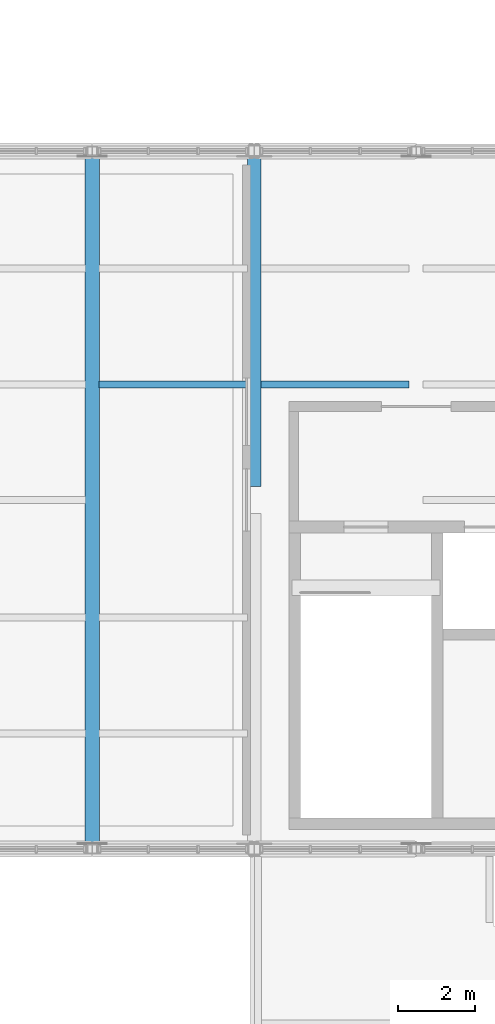
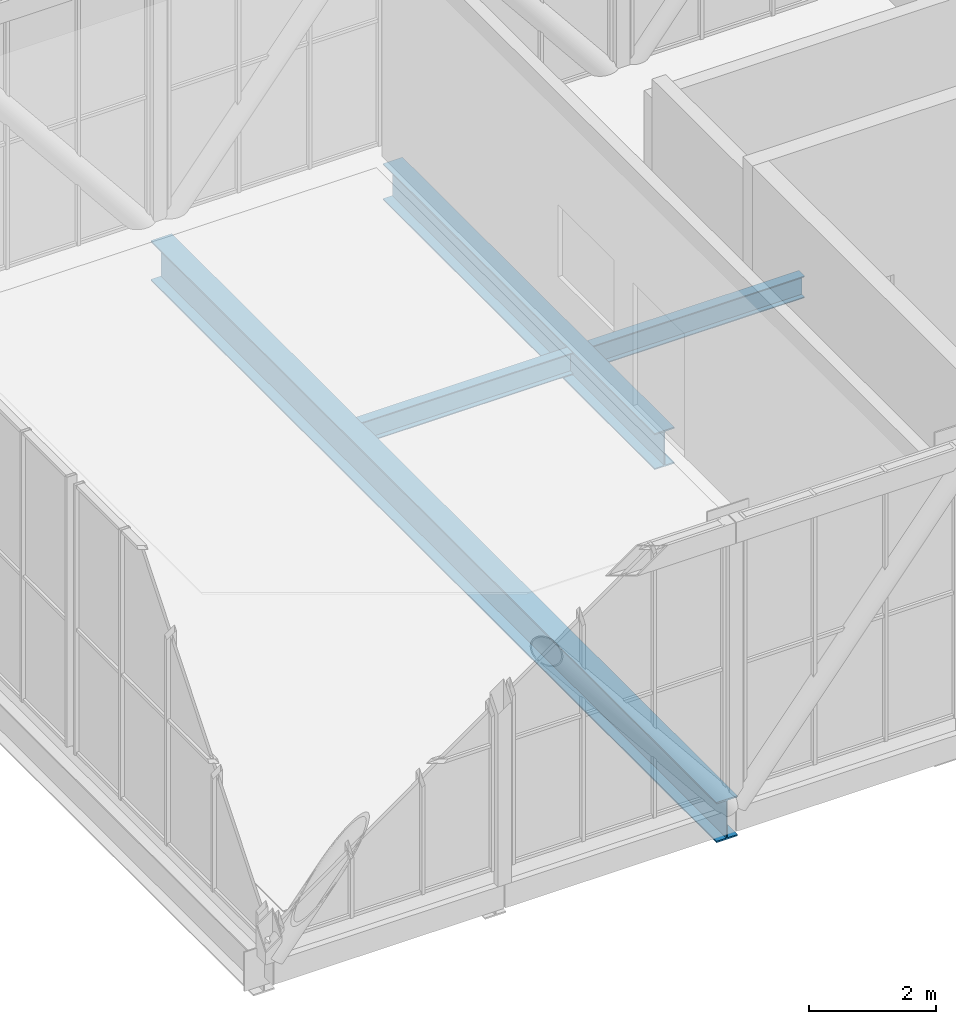
# One storey, part 11 of 58: 4 beams.
"""IFC4 building model written with IfcOpenShell, lengths in metres."""

import ifcopenshell
import ifcopenshell.guid

model = None  # the IFC model being written
_history = None  # IfcOwnerHistory: only IFC2X3 demands one
_inside = {}  # id of a spatial element -> (the spatial element, [elements in it])
_under = {}  # id of a project, library or spatial element -> (it, [spatial elements below it])
_declared = {}  # id of a project -> (the project, [libraries it declares])
_typed = {}  # id of a type object -> (the type object, [elements of that type])
_made_of = {}  # id of a material, layer set ... -> (it, [elements and type objects made of it])


def new_model(schema):
    """Start an empty IFC model of exactly this schema.

    Asked for "IFC4X3", IfcOpenShell would pick the latest addendum, in which some entities
    have other attributes; the version numbers below select the first issue.
    IFC2X3 requires an IfcOwnerHistory on every rooted entity: one is made here for all.
    """
    global model, _history
    if schema == "IFC4X3":
        model = ifcopenshell.file(schema_version=(4, 3, 0, 0))
    else:
        model = ifcopenshell.file(schema=schema)
    _inside.clear()
    _under.clear()
    _declared.clear()
    _typed.clear()
    _made_of.clear()
    _history = None
    if model.schema == "IFC2X3":
        org = make("IfcOrganization", Name="unknown")
        user = make(
            "IfcPersonAndOrganization",
            ThePerson=make("IfcPerson", FamilyName="unknown"),
            TheOrganization=org,
        )
        app = make(
            "IfcApplication",
            ApplicationDeveloper=org,
            Version="unknown",
            ApplicationFullName="unknown",
            ApplicationIdentifier="unknown",
        )
        _history = make(
            "IfcOwnerHistory",
            OwningUser=user,
            OwningApplication=app,
            ChangeAction="ADDED",
            CreationDate=0,
        )
    return model


def make(cls, **values):
    """One entity of the class cls with the attributes given. An attribute that is None is left unset."""
    return model.create_entity(
        cls, **{name: value for name, value in values.items() if value is not None}
    )


def rooted(cls, **values):
    """An entity with a GlobalId (a new one), such as an element, a storey or a relation."""
    return make(cls, GlobalId=ifcopenshell.guid.new(), OwnerHistory=_history, **values)


def si_unit(unit_type, name, prefix=None):
    """IfcSIUnit, for example si_unit("LENGTHUNIT", "METRE", prefix="MILLI")."""
    return make("IfcSIUnit", UnitType=unit_type, Prefix=prefix, Name=name)


def assignment(units):
    """IfcUnitAssignment: the units of a project."""
    return None if units is None else make("IfcUnitAssignment", Units=units)


def point(xyz):
    """IfcCartesianPoint."""
    return None if xyz is None else make("IfcCartesianPoint", Coordinates=xyz)


def direction(xyz):
    """IfcDirection."""
    return None if xyz is None else make("IfcDirection", DirectionRatios=xyz)


def frame(location, z_axis=None, x_axis=None):
    """IfcAxis2Placement3D, a coordinate frame: its origin and axes. An axis left out is left unset."""
    return make(
        "IfcAxis2Placement3D",
        Location=point(location),
        Axis=direction(z_axis),
        RefDirection=direction(x_axis),
    )


def frame_2d(location, x_axis=None):
    """IfcAxis2Placement2D, a coordinate frame in the plane: its origin and x axis."""
    return make(
        "IfcAxis2Placement2D", Location=point(location), RefDirection=direction(x_axis)
    )


def origin():
    """The frame at (0, 0, 0) with its axes left unset."""
    return frame((0.0, 0.0, 0.0))


def origin_2d():
    """The frame at (0, 0) in the plane with its x axis left unset."""
    return frame_2d((0.0, 0.0))


def place(relative_to, where):
    """IfcLocalPlacement: puts the frame where relative to a parent placement (None: the world)."""
    return make(
        "IfcLocalPlacement", PlacementRelTo=relative_to, RelativePlacement=where
    )


def context(
    kind, dimensions, precision=None, world=None, true_north=None, identifier=None
):
    """IfcGeometricRepresentationContext, for example the 3D "Model" context."""
    return make(
        "IfcGeometricRepresentationContext",
        ContextIdentifier=identifier,
        ContextType=kind,
        CoordinateSpaceDimension=dimensions,
        Precision=precision,
        WorldCoordinateSystem=world,
        TrueNorth=true_north,
    )


def subcontext(parent, identifier, kind, view, scale=None):
    """IfcGeometricRepresentationSubContext, for example "Body" below "Model"."""
    return make(
        "IfcGeometricRepresentationSubContext",
        ContextIdentifier=identifier,
        ContextType=kind,
        ParentContext=parent,
        TargetScale=scale,
        TargetView=view,
    )


def project(units=None, contexts=None):
    """IfcProject with its units and contexts."""
    return rooted(
        "IfcProject",
        Name="project",
        RepresentationContexts=contexts,
        UnitsInContext=assignment(units),
    )


def spatial(cls, under=None, at=None, **own):
    """A site, building, storey or space (cls), placed at a placement, below another one or the project."""
    s = rooted(cls, ObjectPlacement=at, **own)
    if under is not None:
        _under.setdefault(under.id(), (under, []))[1].append(s)
    return s


def profile(cls, at=None, kind="AREA", **sizes):
    """A parametric profile (cls). Its sizes go by their IFC names, for example OverallWidth=200.0."""
    return make(cls, ProfileType=kind, Position=at, **sizes)


def i_section(**sizes):
    """IfcIShapeProfileDef."""
    return profile("IfcIShapeProfileDef", **sizes)


def extrude(swept, where, along, depth):
    """IfcExtrudedAreaSolid: the profile swept, set in the frame where, extruded along a direction by depth."""
    return make(
        "IfcExtrudedAreaSolid",
        SweptArea=swept,
        Position=where,
        ExtrudedDirection=direction(along),
        Depth=depth,
    )


def shape(context_of_items, identifier, shape_type, items):
    """IfcShapeRepresentation: the items that make up one representation, for example the "Body"."""
    return make(
        "IfcShapeRepresentation",
        ContextOfItems=context_of_items,
        RepresentationIdentifier=identifier,
        RepresentationType=shape_type,
        Items=items,
    )


def material(Name=None, Category=None):
    """IfcMaterial."""
    return make("IfcMaterial", Name=Name, Category=Category)


def material_profile(
    of_material, cross_section, Name=None, Category=None, Priority=None
):
    """IfcMaterialProfile: a cross section and its material."""
    return make(
        "IfcMaterialProfile",
        Name=Name,
        Material=of_material,
        Profile=cross_section,
        Priority=Priority,
        Category=Category,
    )


def profile_set(profiles, Name=None, composite=None):
    """IfcMaterialProfileSet."""
    return make(
        "IfcMaterialProfileSet",
        Name=Name,
        MaterialProfiles=profiles,
        CompositeProfile=composite,
    )


def made_of(thing, what):
    """Note that an element or type object is made of a material, layer set ...; save() writes the relation."""
    if what is not None:
        _made_of.setdefault(what.id(), (what, []))[1].append(thing)
    return thing


def type_object(cls, material=None, **own):
    """A type object (cls), such as IfcWallType, which elements share."""
    return made_of(rooted(cls, **own), material)


def element(
    cls,
    number,
    at=None,
    inside=None,
    cuts=None,
    type_object=None,
    material=None,
    context=None,
    identifier="Body",
    shape_type=None,
    held_by="IfcProductDefinitionShape",
    body=None,
    shapes=None,
    **own,
):
    """One element of the class cls, such as IfcWall. Its Tag is "e" and its number.

    at: its placement. inside: the storey or other place that contains it. cuts: it is an
    opening in that element (IfcRelVoidsElement). A single representation is given by context,
    identifier, shape_type and body (its items); several are given by shapes. held_by: the class
    of the entity that holds the representations. save() writes the other relations.
    """
    e = rooted(cls, Tag="e%d" % number, ObjectPlacement=at, **own)
    if body is not None:
        shapes = [shape(context, identifier, shape_type, body)]
    if shapes is not None:
        e.Representation = make(held_by, Representations=shapes)
    if inside is not None:
        _inside.setdefault(inside.id(), (inside, []))[1].append(e)
    if cuts is not None:
        rooted(
            "IfcRelVoidsElement", RelatingBuildingElement=cuts, RelatedOpeningElement=e
        )
    if type_object is not None:
        _typed.setdefault(type_object.id(), (type_object, []))[1].append(e)
    return made_of(e, material)


def aggregate(whole, parts):
    """IfcRelAggregates: a whole, such as a stair, and the parts it consists of."""
    return rooted("IfcRelAggregates", RelatingObject=whole, RelatedObjects=parts)


def save(model, path):
    """Write the relations noted so far, then the file.

    IfcRelAggregates (storeys below a building ...), IfcRelContainedInSpatialStructure (elements
    in a storey), IfcRelDefinesByType, IfcRelAssociatesMaterial and IfcRelDeclares: one each for
    every whole, place, type object, material and project.
    """
    for whole, parts in _under.values():
        aggregate(whole, parts)
    for where, things in _inside.values():
        rooted(
            "IfcRelContainedInSpatialStructure",
            RelatedElements=things,
            RelatingStructure=where,
        )
    for kind, things in _typed.values():
        rooted("IfcRelDefinesByType", RelatedObjects=things, RelatingType=kind)
    for what, things in _made_of.values():
        rooted("IfcRelAssociatesMaterial", RelatedObjects=things, RelatingMaterial=what)
    for by, libraries in _declared.values():
        rooted("IfcRelDeclares", RelatingContext=by, RelatedDefinitions=libraries)
    model.write(path)


model = new_model("IFC4")

# Units and contexts
model_context = context("Model", 3, precision=1e-05, world=origin(), true_north=direction((0.0, 1.0)))
body_context = subcontext(model_context, "Body", "Model", "MODEL_VIEW")
ifc_project = project(units=[si_unit("LENGTHUNIT", "METRE"), si_unit("AREAUNIT", "SQUARE_METRE"), si_unit("VOLUMEUNIT", "CUBIC_METRE"), si_unit("PLANEANGLEUNIT", "RADIAN"), si_unit("MASSUNIT", "GRAM", prefix="KILO")], contexts=[model_context])

# Site, building, storey
site_placement = place(None, origin())
site = spatial("IfcSite", under=ifc_project, at=site_placement, CompositionType="ELEMENT")
building_placement = place(site_placement, origin())
building = spatial("IfcBuilding", under=site, at=building_placement, Name="Khurvash Pelagic Aquarium", CompositionType="ELEMENT")
storey_placement = place(building_placement, frame((0.0, 0.0, 24.60009765625)))
storey = spatial("IfcBuildingStorey", under=building, at=storey_placement, Name="L05", CompositionType="ELEMENT", Elevation=24.60009765625)

# Beams
ifc_material = material(Name="Steel ASTM A992 Grade 50", Category="steel")
ifc_material_profile_1 = material_profile(ifc_material, i_section(OverallWidth=0.381103515625, OverallDepth=0.77197265625, WebThickness=0.0166015625, FlangeThickness=0.027099609375, at=origin_2d()), Name="W30X173")
ifc_profile_set_1 = profile_set([ifc_material_profile_1], Name="Steel ASTM A992 Grade 50")
beam_type_1 = type_object("IfcBeamType", Name="BM-08", PredefinedType="BEAM", material=ifc_profile_set_1)
beam_1_placement = place(storey_placement, frame((21.0, 11.81005859375, -0.68603515625), z_axis=(0.0, 1.0, 0.0), x_axis=(-1.0, 0.0, 0.0)))
element("IfcBeam", 1, at=beam_1_placement, inside=storey, type_object=beam_type_1, Name="L05 Sky-Bar Transverse Floor Girder BM-08 N03", PredefinedType="BEAM", context=body_context, shape_type="SweptSolid", body=[
    extrude(i_section(OverallWidth=0.381103515625, OverallDepth=0.77197265625, WebThickness=0.0166015625, FlangeThickness=0.027099609375, at=origin_2d()), origin(), (0.0, 0.0, 1.0), 17.780029296875),
])
ifc_material_profile_2 = material_profile(ifc_material, i_section(OverallWidth=0.35595703125, OverallDepth=0.696044921875, WebThickness=0.015380859375, FlangeThickness=0.02490234375, at=origin_2d()), Name="W27X146")
ifc_profile_set_2 = profile_set([ifc_material_profile_2], Name="Steel ASTM A992 Grade 50")
beam_type_2 = type_object("IfcBeamType", Name="BM-09", PredefinedType="BEAM", material=ifc_profile_set_2)
beam_2_placement = place(storey_placement, frame((25.199951171875, 21.050048828125, -0.648193359375), z_axis=(0.0, 1.0, 0.0), x_axis=(-1.0, 0.0, 0.0)))
element("IfcBeam", 2, at=beam_2_placement, inside=storey, type_object=beam_type_2, Name="L05 Sky-Bar Transverse Floor Girder BM-09 N04", PredefinedType="BEAM", context=body_context, shape_type="SweptSolid", body=[
    extrude(i_section(OverallWidth=0.35595703125, OverallDepth=0.696044921875, WebThickness=0.015380859375, FlangeThickness=0.02490234375, at=origin_2d()), origin(), (0.0, 0.0, 1.0), 8.5400390625),
])
ifc_material_profile_3 = material_profile(ifc_material, i_section(OverallWidth=0.180908203125, OverallDepth=0.4169921875, WebThickness=0.010986328125, FlangeThickness=0.018310546875, at=origin_2d()), Name="W16X57")
ifc_profile_set_3 = profile_set([ifc_material_profile_3], Name="Steel ASTM A992 Grade 50")
beam_type_3 = type_object("IfcBeamType", Name="JS-03", PredefinedType="JOIST", material=ifc_profile_set_3)
for number, where, z_axis, x_axis, name in (
    (3, (21.179931640625, 23.699951171875, -0.508544921875), (1.0, 0.0, 0.0), (0.0, 1.0, 0.0), "L05 Sky-Bar Floor Joist JS-03 P03"),
    (4, (25.3798828125, 23.699951171875, -0.508544921875), (1.0, 0.0, 0.0), (0.0, 1.0, 0.0), "L05 Sky-Bar Floor Joist JS-03 P04"),
):
    element("IfcBeam", number, at=place(storey_placement, frame(where, z_axis=z_axis, x_axis=x_axis)), inside=storey, type_object=beam_type_3, Name=name, PredefinedType="JOIST", context=body_context, shape_type="SweptSolid", body=[
        extrude(i_section(OverallWidth=0.180908203125, OverallDepth=0.4169921875, WebThickness=0.010986328125, FlangeThickness=0.018310546875, at=origin_2d()), origin(), (0.0, 0.0, 1.0), 3.840087890625),
    ])

save(model, "model.ifc")
